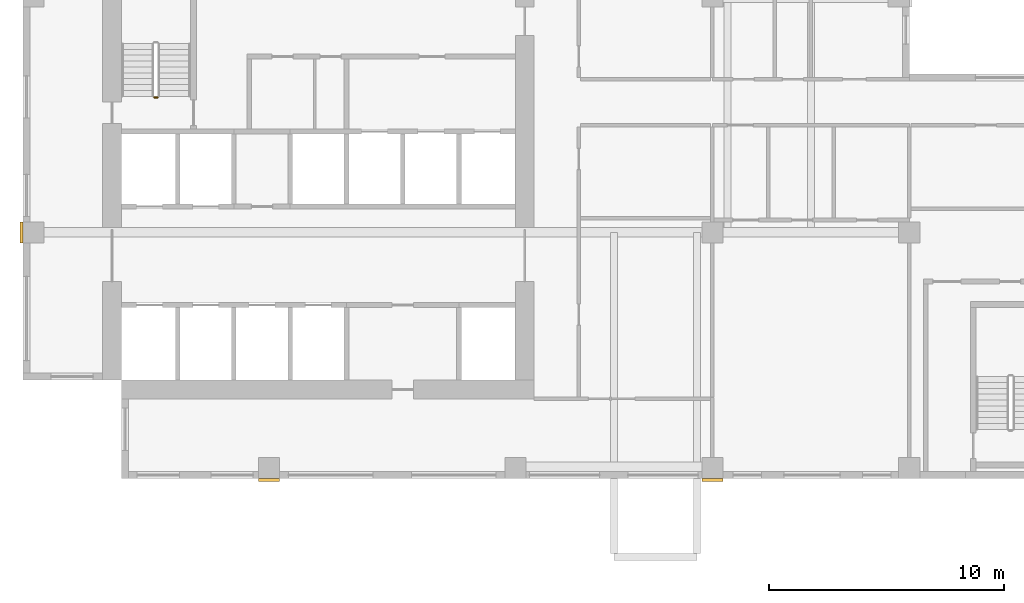
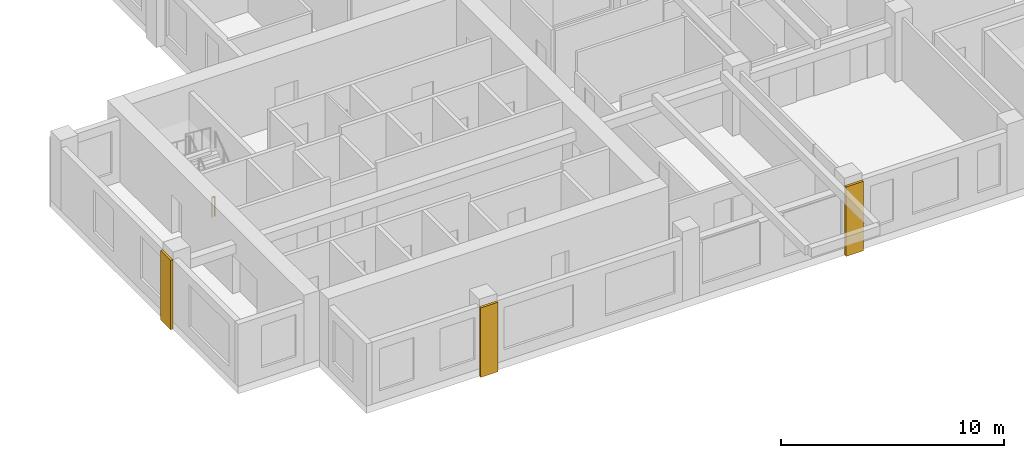
# One storey, part 9 of 12: 3 coverings, 1 railing.
"""IFC4 building model written with IfcOpenShell, lengths in metres."""

from ifc_helpers import new_model, si_unit, direction, frame, origin, origin_2d, place, context, subcontext, project, spatial, rectangle, circle, extrude, source, transform, mapped, material, type_object, element, save


model = new_model("IFC4")

# Units and contexts
model_context = context("Model", 3, precision=1e-05, world=origin(), true_north=direction((0.0, 1.0)))
body_context = subcontext(model_context, "Body", "Model", "MODEL_VIEW")
ifc_project = project(units=[si_unit("LENGTHUNIT", "METRE"), si_unit("AREAUNIT", "SQUARE_METRE"), si_unit("VOLUMEUNIT", "CUBIC_METRE"), si_unit("PLANEANGLEUNIT", "RADIAN"), si_unit("MASSUNIT", "GRAM", prefix="KILO")], contexts=[model_context])

# Site, building, storey
site_placement = place(None, origin())
site = spatial("IfcSite", under=ifc_project, at=site_placement, CompositionType="ELEMENT")
building_placement = place(site_placement, origin())
building = spatial("IfcBuilding", under=site, at=building_placement, Name="Aurelian Terraces", CompositionType="ELEMENT")
storey_placement = place(building_placement, frame((0.0, 0.0, 189.2)))
storey = spatial("IfcBuildingStorey", under=building, at=storey_placement, Name="L41", CompositionType="ELEMENT", Elevation=189.2)

# Coverings
ifc_material_1 = material(Name="Terracotta rainscreen cladding relief", Category="masonry")
covering_type = type_object("IfcCoveringType", Name="BAGUETTE-TC", PredefinedType="CLADDING", material=ifc_material_1)
shared_shape_1 = source(origin(), body_context, "Body", "SweptSolid", [
    extrude(rectangle(XDim=0.9, YDim=0.12, at=origin_2d()), origin(), (0.0, 0.0, 1.0), 3.8),
])
for number, where, z_axis, x_axis, name in (
    (1, (10.5, -0.06, -0.4), (0.0, 0.0, 1.0), (1.0, 0.0, 0.0), "BAGUETTE pier L41 1"),
    (2, (29.4, -0.06, -0.4), (0.0, 0.0, 1.0), (1.0, 0.0, 0.0), "BAGUETTE pier L41 2"),
):
    element("IfcCovering", number, at=place(storey_placement, frame(where, z_axis=z_axis, x_axis=x_axis)), inside=storey, type_object=covering_type, Name=name, PredefinedType="CLADDING", context=body_context, shape_type="MappedRepresentation", body=[
        mapped(shared_shape_1, transform((0.0, 0.0, 0.0), scale=1.0)),
    ])
shared_shape_2 = source(origin(), body_context, "Body", "SweptSolid", [
    extrude(rectangle(XDim=0.12, YDim=0.9, at=origin_2d()), origin(), (0.0, 0.0, 1.0), 3.8),
])
covering_placement = place(storey_placement, frame((-0.06, 10.5, -0.4), z_axis=(0.0, 0.0, 1.0), x_axis=(1.0, 0.0, 0.0)))
element("IfcCovering", 3, at=covering_placement, inside=storey, type_object=covering_type, Name="BAGUETTE pier L41 4", PredefinedType="CLADDING", context=body_context, shape_type="MappedRepresentation", body=[
    mapped(shared_shape_2, transform((0.0, 0.0, 0.0), scale=1.0)),
])

# Railing
ifc_material_2 = material(Name="Stainless steel", Category="steel")
railing_type = type_object("IfcRailingType", Name="Stair guard 1100", PredefinedType="GUARDRAIL", material=ifc_material_2)
shared_shape_3 = source(origin(), body_context, "Body", "SweptSolid", [
    extrude(circle(Radius=0.024, at=origin_2d()), frame((0.0, 0.0, 1.076), z_axis=(-1.0, 0.0, 0.0), x_axis=(0.0, -1.0, 0.0)), (0.0, 0.0, 1.0), 0.15),
    extrude(circle(Radius=0.021, at=origin_2d()), origin(), (0.0, 0.0, 1.0), 1.052),
    extrude(circle(Radius=0.021, at=origin_2d()), frame((-0.15, 0.0, 0.0)), (0.0, 0.0, 1.0), 1.052),
])
railing_placement = place(storey_placement, frame((5.75, 16.25, 0.0)))
element("IfcRailing", 4, at=railing_placement, inside=storey, type_object=railing_type, Name="L41 S1 stair guard 4", PredefinedType="GUARDRAIL", context=body_context, shape_type="MappedRepresentation", body=[
    mapped(shared_shape_3, transform((0.0, 0.0, 0.0), scale=1.0)),
])

save(model, "model.ifc")
